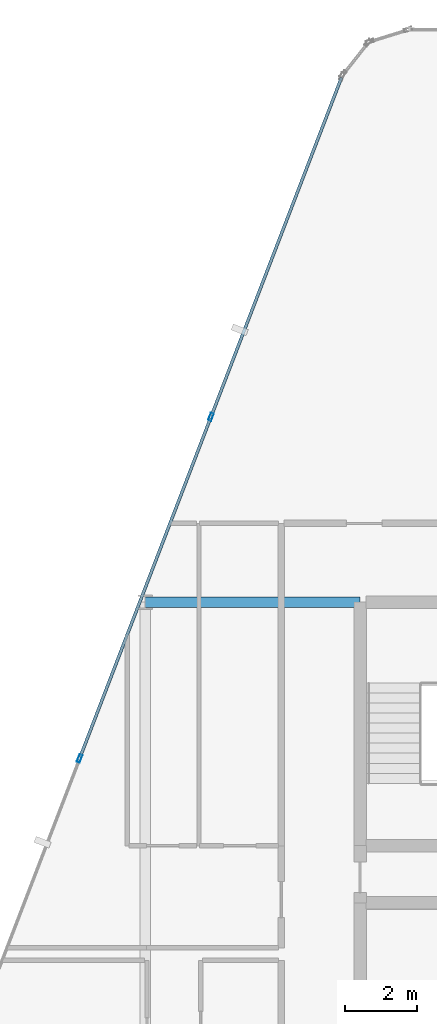
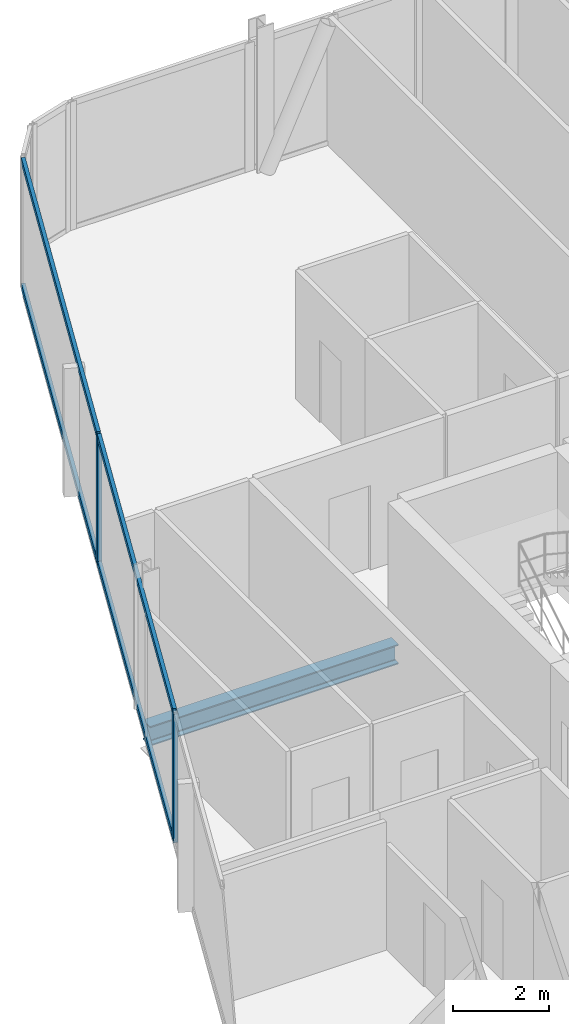
# One storey, part 12 of 34: 6 members, 1 beam, 1 element without a shape of its own.
"""IFC4 building model written with IfcOpenShell, lengths in metres."""

from ifc_helpers import new_model, si_unit, direction, frame, origin, origin_2d, place, context, subcontext, project, spatial, hollow_rectangle, i_section, extrude, material, layer, layer_set, material_profile, profile_set, type_object, element, aggregate, save


model = new_model("IFC4")

# Units and contexts
model_context = context("Model", 3, precision=1e-05, world=origin(), true_north=direction((0.0, 1.0)))
body_context = subcontext(model_context, "Body", "Model", "MODEL_VIEW")
ifc_project = project(units=[si_unit("LENGTHUNIT", "METRE"), si_unit("AREAUNIT", "SQUARE_METRE"), si_unit("VOLUMEUNIT", "CUBIC_METRE"), si_unit("PLANEANGLEUNIT", "RADIAN"), si_unit("MASSUNIT", "GRAM", prefix="KILO")], contexts=[model_context])

# Site, building, storey
site_placement = place(None, origin())
site = spatial("IfcSite", under=ifc_project, at=site_placement, CompositionType="ELEMENT")
building_placement = place(site_placement, origin())
building = spatial("IfcBuilding", under=site, at=building_placement, Name="Keshet Zoharim Tower", CompositionType="ELEMENT")
storey_placement = place(building_placement, frame((0.0, 0.0, 77.5)))
storey = spatial("IfcBuildingStorey", under=building, at=storey_placement, Name="L18", CompositionType="ELEMENT", Elevation=77.5)

# Beam
ifc_material_1 = material(Name="Steel S355", Category="steel")
ifc_material_profile_1 = material_profile(ifc_material_1, i_section(OverallWidth=0.300048828125, OverallDepth=0.5, WebThickness=0.014404296875, FlangeThickness=0.028076171875, FilletRadius=0.027099609375, at=origin_2d()), Name="HEB500")
ifc_profile_set_1 = profile_set([ifc_material_profile_1], Name="Steel S355")
beam_type = type_object("IfcBeamType", Name="BM-WEB-HB500", PredefinedType="BEAM", material=ifc_profile_set_1)
beam_placement = place(storey_placement, frame((9.0, 37.89990234375, -0.56494140625), z_axis=(1.0, 0.0, 0.0), x_axis=(0.0, 1.0, 0.0)))
element("IfcBeam", 1, at=beam_placement, inside=storey, type_object=beam_type, Name="L18 Primary Girder X-028", PredefinedType="BEAM", context=body_context, shape_type="SweptSolid", body=[
    extrude(i_section(OverallWidth=0.300048828125, OverallDepth=0.5, WebThickness=0.014404296875, FlangeThickness=0.028076171875, FilletRadius=0.027099609375, at=origin_2d()), origin(), (0.0, 0.0, 1.0), 6.0),
])

# Curtain wall, members
ifc_material_2 = material(Name="Aluminium 6063-T6", Category="aluminium")
ifc_layer = layer(ifc_material_2, 0.179931640625)
ifc_layer_set = layer_set([ifc_layer], Name="Aluminium 6063-T6")
curtain_wall_type = type_object("IfcCurtainWallType", Name="CW-SYS-01", PredefinedType="NOTDEFINED", material=ifc_layer_set)
curtain_wall_placement = place(storey_placement, origin())
curtain_wall = element("IfcCurtainWall", 2, at=curtain_wall_placement, inside=storey, type_object=curtain_wall_type, Name="L18 Unitised Curtain Wall 04", PredefinedType="NOTDEFINED")
ifc_material_profile_2 = material_profile(ifc_material_2, hollow_rectangle(XDim=0.090087890625, YDim=0.219970703125, WallThickness=0.0048828125, at=origin_2d()), Name="MUL-90x220")
ifc_profile_set_2 = profile_set([ifc_material_profile_2], Name="Aluminium 6063-T6")
member_type_1 = type_object("IfcMemberType", Name="CWM-M22", PredefinedType="MULLION", material=ifc_profile_set_2)
member_1_placement = place(storey_placement, frame((7.1669921875, 33.53466796875, 0.0), z_axis=(0.0, 0.0, 1.0), x_axis=(-0.933341404361, 0.358990003907, 0.0)))
member_1 = element("IfcMember", 3, at=member_1_placement, type_object=member_type_1, Name="CW-01 mullion 2", PredefinedType="MULLION", context=body_context, shape_type="SweptSolid", body=[
    extrude(hollow_rectangle(XDim=0.090087890625, YDim=0.219970703125, WallThickness=0.0048828125, at=origin_2d()), origin(), (0.0, 0.0, 1.0), 3.280029296875),
])
member_2_placement = place(storey_placement, frame((10.8369140625, 43.076416015625, 0.0), z_axis=(0.0, 0.0, 1.0), x_axis=(-0.933341404361, 0.358990003907, 0.0)))
member_2 = element("IfcMember", 4, at=member_2_placement, type_object=member_type_1, Name="CW-01 mullion 3", PredefinedType="MULLION", context=body_context, shape_type="SweptSolid", body=[
    extrude(hollow_rectangle(XDim=0.090087890625, YDim=0.219970703125, WallThickness=0.0048828125, at=origin_2d()), origin(), (0.0, 0.0, 1.0), 3.280029296875),
])
ifc_material_profile_3 = material_profile(ifc_material_2, hollow_rectangle(XDim=0.0849609375, YDim=0.159912109375, WallThickness=0.00439453125, at=origin_2d()), Name="TRN-85x160")
ifc_profile_set_3 = profile_set([ifc_material_profile_3], Name="Aluminium 6063-T6")
member_type_2 = type_object("IfcMemberType", Name="CWT-T16", PredefinedType="USERDEFINED", material=ifc_profile_set_3)
member_3_placement = place(storey_placement, frame((7.179443359375, 33.5673828125, 0.034912109375), z_axis=(0.359003248899, 0.933336309848, 0.0), x_axis=(-0.933336309848, 0.359003248899, 0.0)))
member_3 = element("IfcMember", 5, at=member_3_placement, type_object=member_type_2, Name="CW-01 transom 2.1", ObjectType="TRANSOM", PredefinedType="USERDEFINED", context=body_context, shape_type="SweptSolid", body=[
    extrude(hollow_rectangle(XDim=0.0849609375, YDim=0.159912109375, WallThickness=0.00439453125, at=origin_2d()), origin(), (0.0, 0.0, 1.0), 10.153076171875),
])
member_4_placement = place(storey_placement, frame((7.179443359375, 33.5673828125, 3.2451171875), z_axis=(0.359003248899, 0.933336309848, 0.0), x_axis=(-0.933336309848, 0.359003248899, 0.0)))
member_4 = element("IfcMember", 6, at=member_4_placement, type_object=member_type_2, Name="CW-01 transom 2.2", ObjectType="TRANSOM", PredefinedType="USERDEFINED", context=body_context, shape_type="SweptSolid", body=[
    extrude(hollow_rectangle(XDim=0.0849609375, YDim=0.159912109375, WallThickness=0.00439453125, at=origin_2d()), origin(), (0.0, 0.0, 1.0), 10.153076171875),
])
member_5_placement = place(storey_placement, frame((10.849609375, 43.10888671875, 0.034912109375), z_axis=(0.358985546764, 0.933343118694, 0.0), x_axis=(-0.933343118694, 0.358985546764, 0.0)))
member_5 = element("IfcMember", 7, at=member_5_placement, type_object=member_type_2, Name="CW-01 transom 3.1", ObjectType="TRANSOM", PredefinedType="USERDEFINED", context=body_context, shape_type="SweptSolid", body=[
    extrude(hollow_rectangle(XDim=0.0849609375, YDim=0.159912109375, WallThickness=0.00439453125, at=origin_2d()), origin(), (0.0, 0.0, 1.0), 10.118408203125),
])
member_6_placement = place(storey_placement, frame((10.849609375, 43.10888671875, 3.2451171875), z_axis=(0.358985546764, 0.933343118694, 0.0), x_axis=(-0.933343118694, 0.358985546764, 0.0)))
member_6 = element("IfcMember", 8, at=member_6_placement, type_object=member_type_2, Name="CW-01 transom 3.2", ObjectType="TRANSOM", PredefinedType="USERDEFINED", context=body_context, shape_type="SweptSolid", body=[
    extrude(hollow_rectangle(XDim=0.0849609375, YDim=0.159912109375, WallThickness=0.00439453125, at=origin_2d()), origin(), (0.0, 0.0, 1.0), 10.118408203125),
])
aggregate(curtain_wall, [member_1, member_2, member_3, member_4, member_5, member_6])

save(model, "model.ifc")
